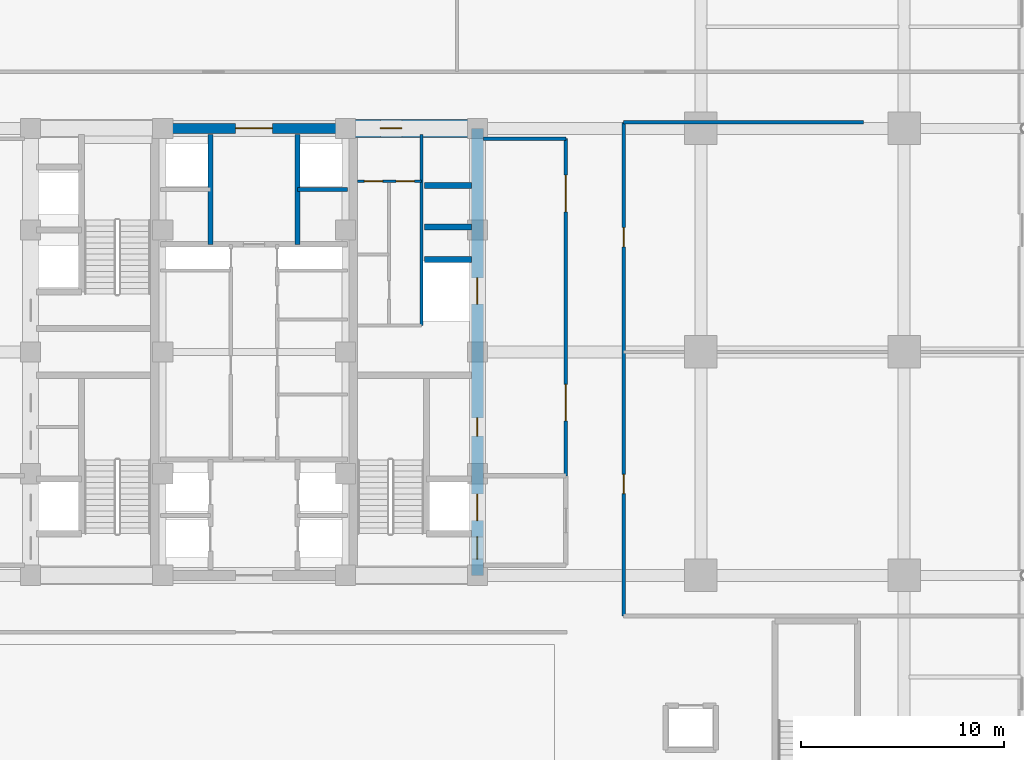
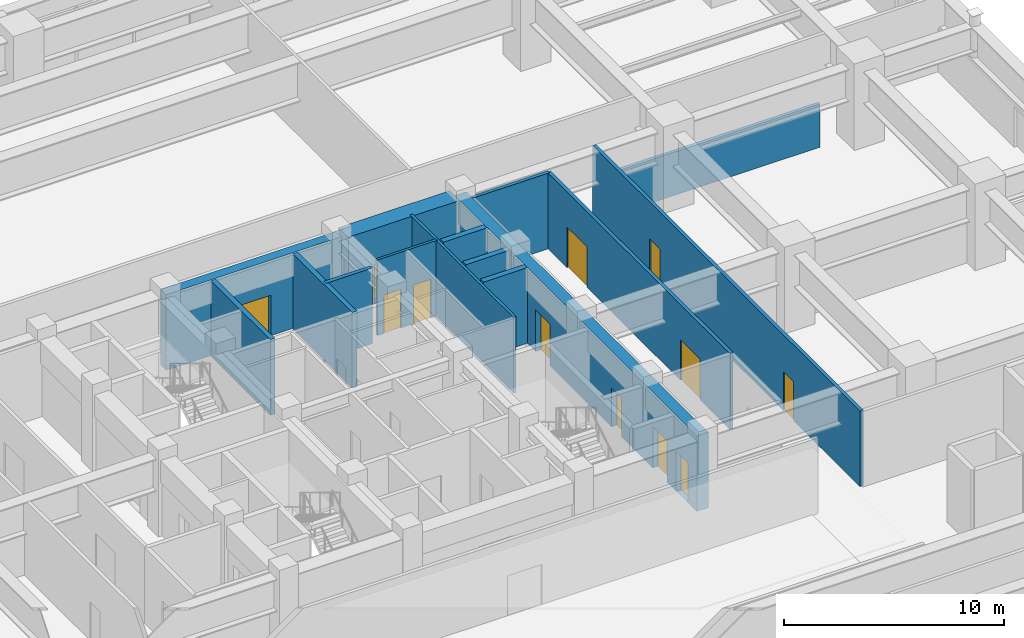
# One storey, part 25 of 35: 15 walls, 12 doors, 12 openings.
"""IFC4 building model written with IfcOpenShell, lengths in metres."""

from ifc_helpers import new_model, si_unit, direction, frame, frame_2d, origin, place, context, subcontext, project, spatial, rectangle, extrude, source, transform, mapped, material, layer, layer_set, type_object, element, fill, save


model = new_model("IFC4")

# Units and contexts
model_context = context("Model", 3, precision=1e-05, world=origin(), true_north=direction((0.0, 1.0)))
body_context = subcontext(model_context, "Body", "Model", "MODEL_VIEW")
ifc_project = project(units=[si_unit("LENGTHUNIT", "METRE"), si_unit("AREAUNIT", "SQUARE_METRE"), si_unit("VOLUMEUNIT", "CUBIC_METRE"), si_unit("PLANEANGLEUNIT", "RADIAN"), si_unit("MASSUNIT", "GRAM", prefix="KILO")], contexts=[model_context])

# Site, building, storey
site_placement = place(None, origin())
site = spatial("IfcSite", under=ifc_project, at=site_placement, CompositionType="ELEMENT")
building_placement = place(site_placement, origin())
building = spatial("IfcBuilding", under=site, at=building_placement, Name="Khorayat Bourse Tower", CompositionType="ELEMENT")
storey_placement = place(building_placement, frame((0.0, 0.0, 22.199951171875)))
storey = spatial("IfcBuildingStorey", under=building, at=storey_placement, Name="L04", CompositionType="ELEMENT", Elevation=22.199951171875)

# Wall, openings, doors
ifc_material_1 = material(Name="Concrete C60/75", Category="concrete")
ifc_layer_1 = layer(ifc_material_1, 0.60009765625)
ifc_layer_set_1 = layer_set([ifc_layer_1], Name="Concrete C60/75")
wall_type_1 = type_object("IfcWallType", Name="WAL-CORE-600", PredefinedType="SHEAR", material=ifc_layer_set_1)
shared_shape_1 = source(origin(), body_context, "Body", "SweptSolid", [
    extrude(rectangle(XDim=22.0, YDim=0.60009765625, at=frame_2d((11.0, 0.0))), origin(), (0.0, 0.0, 1.0), 4.199951171875),
])
wall_1_placement = place(storey_placement, frame((11.0, -11.0, 0.0), z_axis=(0.0, 0.0, 1.0), x_axis=(0.0, 1.0, 0.0)))
wall_1 = element("IfcWall", 1, at=wall_1_placement, inside=storey, type_object=wall_type_1, Name="L04 Core Shear Wall CORE-E", PredefinedType="SHEAR", context=body_context, shape_type="MappedRepresentation", body=[
    mapped(shared_shape_1, transform((0.0, 0.0, 0.0), scale=1.0)),
])
shared_shape_2 = source(origin(), body_context, "Body", "SweptSolid", [
    extrude(rectangle(XDim=1.10009765625, YDim=2.199951171875, at=frame_2d((0.550048828125, 1.10009765625))), frame((0.0, 0.31005859375, 0.0), z_axis=(0.0, -1.0, 0.0), x_axis=(1.0, 0.0, 0.0)), (0.0, 0.0, 1.0), 0.6201171875),
])
opening_1_placement = place(wall_1_placement, frame((0.800048828125, 0.0, 0.0)))
opening_1 = element("IfcOpeningElement", 2, at=opening_1_placement, cuts=wall_1, Name="Opening DI-01", PredefinedType="OPENING", context=body_context, shape_type="MappedRepresentation", body=[
    mapped(shared_shape_2, transform((0.0, 0.0, 0.0), scale=1.0)),
])
shared_shape_3 = source(origin(), body_context, "Body", "SweptSolid", [
    extrude(rectangle(XDim=0.89990234375, YDim=2.14990234375, at=frame_2d((0.449951171875, 1.074951171875))), frame((0.0, 0.31005859375, 0.0), z_axis=(0.0, -1.0, 0.0), x_axis=(1.0, 0.0, 0.0)), (0.0, 0.0, 1.0), 0.6201171875),
])
opening_2_placement = place(wall_1_placement, frame((6.85009765625, 0.0, 0.0)))
opening_2 = element("IfcOpeningElement", 3, at=opening_2_placement, cuts=wall_1, Name="Opening DI-06", PredefinedType="OPENING", context=body_context, shape_type="MappedRepresentation", body=[
    mapped(shared_shape_3, transform((0.0, 0.0, 0.0), scale=1.0)),
])
shared_shape_4 = source(origin(), body_context, "Body", "SweptSolid", [
    extrude(rectangle(XDim=1.300048828125, YDim=2.300048828125, at=frame_2d((0.64990234375, 1.14990234375))), frame((0.0, 0.31005859375, 0.0), z_axis=(0.0, -1.0, 0.0), x_axis=(1.0, 0.0, 0.0)), (0.0, 0.0, 1.0), 0.6201171875),
])
opening_3_placement = place(wall_1_placement, frame((2.699951171875, 0.0, 0.0)))
opening_3 = element("IfcOpeningElement", 4, at=opening_3_placement, cuts=wall_1, Name="Opening LD-02", PredefinedType="OPENING", context=body_context, shape_type="MappedRepresentation", body=[
    mapped(shared_shape_4, transform((0.0, 0.0, 0.0), scale=1.0)),
])
opening_4_placement = place(wall_1_placement, frame((13.35009765625, 0.0, 0.0)))
opening_4 = element("IfcOpeningElement", 5, at=opening_4_placement, cuts=wall_1, Name="Opening LD-02", PredefinedType="OPENING", context=body_context, shape_type="MappedRepresentation", body=[
    mapped(shared_shape_4, transform((0.0, 0.0, 0.0), scale=1.0)),
])
ifc_material_2 = material(Name="Fire-rated steel acoustic leaf", Category="steel")
door_type_1 = type_object("IfcDoorType", Name="DR-INT-STAIR-1100", OperationType="NOTDEFINED", PredefinedType="DOOR", material=ifc_material_2)
shared_shape_5 = source(origin(), body_context, "Body", "SweptSolid", [
    extrude(rectangle(XDim=1.10009765625, YDim=2.199951171875, at=frame_2d((0.550048828125, 1.10009765625))), frame((0.0, 0.02490234375, 0.0), z_axis=(0.0, -1.0, 0.0), x_axis=(1.0, 0.0, 0.0)), (0.0, 0.0, 1.0), 0.050048828125),
])
door_1_placement = place(opening_1_placement, origin())
door_1 = element("IfcDoor", 6, at=door_1_placement, inside=storey, type_object=door_type_1, Name="L04 Exit Stair 3 Door", OperationType="SINGLE_SWING_LEFT", OverallHeight=2.199951171875, OverallWidth=1.10009765625, PredefinedType="DOOR", context=body_context, shape_type="MappedRepresentation", body=[
    mapped(shared_shape_5, transform((0.0, 0.0, 0.0), scale=1.0)),
])
fill(opening_1, door_1)
ifc_material_3 = material(Name="Moisture-resistant laminate washroom door")
door_type_2 = type_object("IfcDoorType", Name="DR-INT-WC-900", OperationType="NOTDEFINED", PredefinedType="DOOR", material=ifc_material_3)
shared_shape_6 = source(origin(), body_context, "Body", "SweptSolid", [
    extrude(rectangle(XDim=0.89990234375, YDim=2.14990234375, at=frame_2d((0.449951171875, 1.074951171875))), frame((0.0, 0.02490234375, 0.0), z_axis=(0.0, -1.0, 0.0), x_axis=(1.0, 0.0, 0.0)), (0.0, 0.0, 1.0), 0.050048828125),
])
door_2_placement = place(opening_2_placement, origin())
door_2 = element("IfcDoor", 7, at=door_2_placement, inside=storey, type_object=door_type_2, Name="L04 Telecom Server Plant Room Door", OperationType="SINGLE_SWING_LEFT", OverallHeight=2.14990234375, OverallWidth=0.89990234375, PredefinedType="DOOR", context=body_context, shape_type="MappedRepresentation", body=[
    mapped(shared_shape_6, transform((0.0, 0.0, 0.0), scale=1.0)),
])
fill(opening_2, door_2)
ifc_material_4 = material(Name="Fire-rated stainless-steel sliding landing door", Category="steel")
door_type_3 = type_object("IfcDoorType", Name="DR-LIFT-FF-1300", OperationType="NOTDEFINED", PredefinedType="DOOR", material=ifc_material_4)
shared_shape_7 = source(origin(), body_context, "Body", "SweptSolid", [
    extrude(rectangle(XDim=1.300048828125, YDim=2.300048828125, at=frame_2d((0.64990234375, 1.14990234375))), frame((0.0, 0.02490234375, 0.0), z_axis=(0.0, -1.0, 0.0), x_axis=(1.0, 0.0, 0.0)), (0.0, 0.0, 1.0), 0.050048828125),
])
door_3_placement = place(opening_3_placement, origin())
door_3 = element("IfcDoor", 8, at=door_3_placement, inside=storey, type_object=door_type_3, Name="L04 Lift FFL-02 Sliding Landing Door", OperationType="SLIDING_TO_LEFT", OverallHeight=2.300048828125, OverallWidth=1.300048828125, PredefinedType="DOOR", context=body_context, shape_type="MappedRepresentation", body=[
    mapped(shared_shape_7, transform((0.0, 0.0, 0.0), scale=1.0)),
])
fill(opening_3, door_3)
door_4_placement = place(opening_4_placement, origin())
door_4 = element("IfcDoor", 9, at=door_4_placement, inside=storey, type_object=door_type_3, Name="L04 Lift SVL-01 Sliding Landing Door", OperationType="SLIDING_TO_LEFT", OverallHeight=2.300048828125, OverallWidth=1.300048828125, PredefinedType="DOOR", context=body_context, shape_type="MappedRepresentation", body=[
    mapped(shared_shape_7, transform((0.0, 0.0, 0.0), scale=1.0)),
])
fill(opening_4, door_4)

# Wall, opening, door
ifc_material_5 = material(Name="Concrete C72/90", Category="concrete")
ifc_layer_2 = layer(ifc_material_5, 0.89990234375)
ifc_layer_set_2 = layer_set([ifc_layer_2], Name="Concrete C72/90")
wall_type_2 = type_object("IfcWallType", Name="WAL-CORE-900", PredefinedType="SHEAR", material=ifc_layer_set_2)
shared_shape_8 = source(origin(), body_context, "Body", "SweptSolid", [
    extrude(rectangle(XDim=5.849853515625, YDim=0.89990234375, at=frame_2d((2.9248046875, 0.0))), origin(), (0.0, 0.0, 1.0), 4.199951171875),
])
wall_2_placement = place(storey_placement, frame((4.85009765625, 11.0, 0.0), z_axis=(0.0, 0.0, 1.0), x_axis=(1.0, 0.0, 0.0)))
wall_2 = element("IfcWall", 10, at=wall_2_placement, inside=storey, type_object=wall_type_2, Name="L04 Core Shear Wall PIER-EN", PredefinedType="SHEAR", context=body_context, shape_type="MappedRepresentation", body=[
    mapped(shared_shape_8, transform((0.0, 0.0, 0.0), scale=1.0)),
])
shared_shape_9 = source(origin(), body_context, "Body", "SweptSolid", [
    extrude(rectangle(XDim=1.050048828125, YDim=2.199951171875, at=frame_2d((0.52490234375, 1.10009765625))), frame((0.0, 0.4599609375, 0.0), z_axis=(0.0, -1.0, 0.0), x_axis=(1.0, 0.0, 0.0)), (0.0, 0.0, 1.0), 0.919921875),
])
opening_5_placement = place(wall_2_placement, frame((1.375, 0.0, 0.0)))
opening_5 = element("IfcOpeningElement", 11, at=opening_5_placement, cuts=wall_2, Name="Opening DI-04", PredefinedType="OPENING", context=body_context, shape_type="MappedRepresentation", body=[
    mapped(shared_shape_9, transform((0.0, 0.0, 0.0), scale=1.0)),
])
ifc_material_6 = material(Name="Fire-rated oak veneer suite entrance door")
door_type_4 = type_object("IfcDoorType", Name="DR-INT-SUITE-1050", OperationType="NOTDEFINED", PredefinedType="DOOR", material=ifc_material_6)
shared_shape_10 = source(origin(), body_context, "Body", "SweptSolid", [
    extrude(rectangle(XDim=1.050048828125, YDim=2.199951171875, at=frame_2d((0.52490234375, 1.10009765625))), frame((0.0, 0.02490234375, 0.0), z_axis=(0.0, -1.0, 0.0), x_axis=(1.0, 0.0, 0.0)), (0.0, 0.0, 1.0), 0.050048828125),
])
door_5_placement = place(opening_5_placement, origin())
door_5 = element("IfcDoor", 12, at=door_5_placement, inside=storey, type_object=door_type_4, Name="L04 Core Washroom Lobby Door", OperationType="SINGLE_SWING_LEFT", OverallHeight=2.199951171875, OverallWidth=1.050048828125, PredefinedType="DOOR", context=body_context, shape_type="MappedRepresentation", body=[
    mapped(shared_shape_10, transform((0.0, 0.0, 0.0), scale=1.0)),
])
fill(opening_5, door_5)

ifc_material_7 = material(Name="Concrete C52/65", Category="concrete")
ifc_layer_3 = layer(ifc_material_7, 0.5)
ifc_layer_set_3 = layer_set([ifc_layer_3], Name="Concrete C52/65")
wall_type_3 = type_object("IfcWallType", Name="WAL-CORE-500", PredefinedType="SHEAR", material=ifc_layer_set_3)
shared_shape_11 = source(origin(), body_context, "Body", "SweptSolid", [
    extrude(rectangle(XDim=9.2001953125, YDim=0.5, at=frame_2d((4.60009765625, 0.0))), origin(), (0.0, 0.0, 1.0), 4.199951171875),
])
wall_3_placement = place(storey_placement, frame((-4.60009765625, 11.0, 0.0), z_axis=(0.0, 0.0, 1.0), x_axis=(1.0, 0.0, 0.0)))
wall_3 = element("IfcWall", 13, at=wall_3_placement, inside=storey, type_object=wall_type_3, Name="L04 Core Shear Wall CORE-N", PredefinedType="SHEAR", context=body_context, shape_type="MappedRepresentation", body=[
    mapped(shared_shape_11, transform((0.0, 0.0, 0.0), scale=1.0)),
])
shared_shape_12 = source(origin(), body_context, "Body", "SweptSolid", [
    extrude(rectangle(XDim=1.800048828125, YDim=2.25, at=frame_2d((0.89990234375, 1.125))), frame((0.0, 0.260009765625, 0.0), z_axis=(0.0, -1.0, 0.0), x_axis=(1.0, 0.0, 0.0)), (0.0, 0.0, 1.0), 0.52001953125),
])
opening_6_placement = place(wall_3_placement, frame((3.699951171875, 0.0, 0.0)))
opening_6 = element("IfcOpeningElement", 14, at=opening_6_placement, cuts=wall_3, Name="Opening DI-03", PredefinedType="OPENING", context=body_context, shape_type="MappedRepresentation", body=[
    mapped(shared_shape_12, transform((0.0, 0.0, 0.0), scale=1.0)),
])
ifc_material_8 = material(Name="Fire-rated hardwood vision-panel double leaf", Category="wood")
door_type_5 = type_object("IfcDoorType", Name="DR-INT-CORR-1800", OperationType="NOTDEFINED", PredefinedType="DOOR", material=ifc_material_8)
shared_shape_13 = source(origin(), body_context, "Body", "SweptSolid", [
    extrude(rectangle(XDim=1.800048828125, YDim=2.25, at=frame_2d((0.89990234375, 1.125))), frame((0.0, 0.02490234375, 0.0), z_axis=(0.0, -1.0, 0.0), x_axis=(1.0, 0.0, 0.0)), (0.0, 0.0, 1.0), 0.050048828125),
])
door_6_placement = place(opening_6_placement, origin())
door_6 = element("IfcDoor", 15, at=door_6_placement, inside=storey, type_object=door_type_5, Name="L04 Mid-Rise Lift Lobby Door", OperationType="SINGLE_SWING_RIGHT", OverallHeight=2.25, OverallWidth=1.800048828125, PredefinedType="DOOR", context=body_context, shape_type="MappedRepresentation", body=[
    mapped(shared_shape_13, transform((0.0, 0.0, 0.0), scale=1.0)),
])
fill(opening_6, door_6)

# Walls
ifc_material_9 = material(Name="Concrete C50/60", Category="concrete")
ifc_layer_4 = layer(ifc_material_9, 0.300048828125)
ifc_layer_set_4 = layer_set([ifc_layer_4], Name="Concrete C50/60")
wall_type_4 = type_object("IfcWallType", Name="WAL-SHAFT-300", PredefinedType="SHEAR", material=ifc_layer_set_4)
shared_shape_14 = source(origin(), body_context, "Body", "SweptSolid", [
    extrude(rectangle(XDim=2.300048828125, YDim=0.300048828125, at=frame_2d((1.14990234375, 0.0))), origin(), (0.0, 0.0, 1.0), 4.199951171875),
])
for number, where, z_axis, x_axis, name in (
    (16, (8.39990234375, 4.550048828125, 0.0), (0.0, 0.0, 1.0), (1.0, 0.0, 0.0), "L04 Partition WAL-L04-EPIER-SVLN"),
    (17, (8.39990234375, 6.14990234375, 0.0), (0.0, 0.0, 1.0), (1.0, 0.0, 0.0), "L04 Partition WAL-L04-EPIER-H3S"),
    (18, (8.39990234375, 8.199951171875, 0.0), (0.0, 0.0, 1.0), (1.0, 0.0, 0.0), "L04 Partition WAL-L04-EPIER-H34"),
):
    element("IfcWall", number, at=place(storey_placement, frame(where, z_axis=z_axis, x_axis=x_axis)), inside=storey, type_object=wall_type_4, Name=name, PredefinedType="SHEAR", context=body_context, shape_type="MappedRepresentation", body=[
        mapped(shared_shape_14, transform((0.0, 0.0, 0.0), scale=1.0)),
    ])
ifc_material_10 = material(Name="Moisture-resistant masonry partition", Category="masonry")
ifc_layer_5 = layer(ifc_material_10, 0.139892578125)
ifc_layer_set_5 = layer_set([ifc_layer_5], Name="Moisture-resistant masonry partition")
wall_type_5 = type_object("IfcWallType", Name="WAL-PART-WET-140", PredefinedType="PARTITIONING", material=ifc_layer_set_5)
shared_shape_15 = source(origin(), body_context, "Body", "SweptSolid", [
    extrude(rectangle(XDim=9.39990234375, YDim=0.139892578125, at=frame_2d((4.699951171875, 0.0))), origin(), (0.0, 0.0, 1.0), 4.199951171875),
])
wall_4_placement = place(storey_placement, frame((8.25, 1.300048828125, 0.0), z_axis=(0.0, 0.0, 1.0), x_axis=(0.0, 1.0, 0.0)))
element("IfcWall", 19, at=wall_4_placement, inside=storey, type_object=wall_type_5, Name="L04 Partition WAL-L04-ECORE-E", PredefinedType="PARTITIONING", context=body_context, shape_type="MappedRepresentation", body=[
    mapped(shared_shape_15, transform((0.0, 0.0, 0.0), scale=1.0)),
])

# Wall, openings, doors
shared_shape_16 = source(origin(), body_context, "Body", "SweptSolid", [
    extrude(rectangle(XDim=3.14990234375, YDim=0.139892578125, at=frame_2d((1.574951171875, 0.0))), origin(), (0.0, 0.0, 1.0), 4.199951171875),
])
wall_5_placement = place(storey_placement, frame((5.10009765625, 8.39990234375, 0.0), z_axis=(0.0, 0.0, 1.0), x_axis=(1.0, 0.0, 0.0)))
wall_5 = element("IfcWall", 20, at=wall_5_placement, inside=storey, type_object=wall_type_5, Name="L04 Partition WAL-L04-ECW-TOP", PredefinedType="PARTITIONING", context=body_context, shape_type="MappedRepresentation", body=[
    mapped(shared_shape_16, transform((0.0, 0.0, 0.0), scale=1.0)),
])
shared_shape_17 = source(origin(), body_context, "Body", "SweptSolid", [
    extrude(rectangle(XDim=0.89990234375, YDim=2.14990234375, at=frame_2d((0.449951171875, 1.074951171875))), frame((0.0, 0.079833984375, 0.0), z_axis=(0.0, -1.0, 0.0), x_axis=(1.0, 0.0, 0.0)), (0.0, 0.0, 1.0), 0.159912109375),
])
opening_7_placement = place(wall_5_placement, frame((0.330078125, 0.0, 0.0)))
opening_7 = element("IfcOpeningElement", 21, at=opening_7_placement, cuts=wall_5, Name="Opening DI-06", PredefinedType="OPENING", context=body_context, shape_type="MappedRepresentation", body=[
    mapped(shared_shape_17, transform((0.0, 0.0, 0.0), scale=1.0)),
])
opening_8_placement = place(wall_5_placement, frame((1.89990234375, 0.0, 0.0)))
opening_8 = element("IfcOpeningElement", 22, at=opening_8_placement, cuts=wall_5, Name="Opening DI-06", PredefinedType="OPENING", context=body_context, shape_type="MappedRepresentation", body=[
    mapped(shared_shape_17, transform((0.0, 0.0, 0.0), scale=1.0)),
])
door_7_placement = place(opening_7_placement, origin())
door_7 = element("IfcDoor", 23, at=door_7_placement, inside=storey, type_object=door_type_2, Name="L04 Accessible WC Door", OperationType="SINGLE_SWING_LEFT", OverallHeight=2.14990234375, OverallWidth=0.89990234375, PredefinedType="DOOR", context=body_context, shape_type="MappedRepresentation", body=[
    mapped(shared_shape_6, transform((0.0, 0.0, 0.0), scale=1.0)),
])
fill(opening_7, door_7)
door_8_placement = place(opening_8_placement, origin())
door_8 = element("IfcDoor", 24, at=door_8_placement, inside=storey, type_object=door_type_2, Name="L04 Shared Washroom Door", OperationType="SINGLE_SWING_RIGHT", OverallHeight=2.14990234375, OverallWidth=0.89990234375, PredefinedType="DOOR", context=body_context, shape_type="MappedRepresentation", body=[
    mapped(shared_shape_6, transform((0.0, 0.0, 0.0), scale=1.0)),
])
fill(opening_8, door_8)

# Wall
ifc_material_11 = material(Name="Gypsum plasterboard acoustic stud wall")
ifc_layer_6 = layer(ifc_material_11, 0.179931640625)
ifc_layer_set_6 = layer_set([ifc_layer_6], Name="Gypsum plasterboard acoustic stud wall")
wall_type_6 = type_object("IfcWallType", Name="WAL-PART-CORR-180", PredefinedType="PARTITIONING", material=ifc_layer_set_6)
shared_shape_18 = source(origin(), body_context, "Body", "SweptSolid", [
    extrude(rectangle(XDim=4.050048828125, YDim=0.179931640625, at=frame_2d((2.02490234375, 0.0))), origin(), (0.0, 0.0, 1.0), 4.199951171875),
])
wall_6_placement = place(storey_placement, frame((11.300048828125, 10.5, 0.0), z_axis=(0.0, 0.0, 1.0), x_axis=(1.0, 0.0, 0.0)))
element("IfcWall", 25, at=wall_6_placement, inside=storey, type_object=wall_type_6, Name="L04 Partition WAL-L04-ELOB-N", PredefinedType="PARTITIONING", context=body_context, shape_type="MappedRepresentation", body=[
    mapped(shared_shape_18, transform((0.0, 0.0, 0.0), scale=1.0)),
])

# Wall, openings, doors
shared_shape_19 = source(origin(), body_context, "Body", "SweptSolid", [
    extrude(rectangle(XDim=16.60009765625, YDim=0.179931640625, at=frame_2d((8.300048828125, 0.0))), origin(), (0.0, 0.0, 1.0), 4.199951171875),
])
wall_7_placement = place(storey_placement, frame((15.35009765625, -6.10009765625, 0.0), z_axis=(0.0, 0.0, 1.0), x_axis=(0.0, 1.0, 0.0)))
wall_7 = element("IfcWall", 26, at=wall_7_placement, inside=storey, type_object=wall_type_6, Name="L04 Partition WAL-L04-ELOB-E", PredefinedType="PARTITIONING", context=body_context, shape_type="MappedRepresentation", body=[
    mapped(shared_shape_19, transform((0.0, 0.0, 0.0), scale=1.0)),
])
shared_shape_20 = source(origin(), body_context, "Body", "SweptSolid", [
    extrude(rectangle(XDim=1.800048828125, YDim=2.25, at=frame_2d((0.89990234375, 1.125))), frame((0.0, 0.099853515625, 0.0), z_axis=(0.0, -1.0, 0.0), x_axis=(1.0, 0.0, 0.0)), (0.0, 0.0, 1.0), 0.199951171875),
])
opening_9_placement = place(wall_7_placement, frame((2.699951171875, 0.0, 0.0)))
opening_9 = element("IfcOpeningElement", 27, at=opening_9_placement, cuts=wall_7, Name="Opening DI-03", PredefinedType="OPENING", context=body_context, shape_type="MappedRepresentation", body=[
    mapped(shared_shape_20, transform((0.0, 0.0, 0.0), scale=1.0)),
])
opening_10_placement = place(wall_7_placement, frame((13.0, 0.0, 0.0)))
opening_10 = element("IfcOpeningElement", 28, at=opening_10_placement, cuts=wall_7, Name="Opening DI-03", PredefinedType="OPENING", context=body_context, shape_type="MappedRepresentation", body=[
    mapped(shared_shape_20, transform((0.0, 0.0, 0.0), scale=1.0)),
])
door_9_placement = place(opening_9_placement, origin())
door_9 = element("IfcDoor", 29, at=door_9_placement, inside=storey, type_object=door_type_5, Name="L04 East Core Lobby South Door", OperationType="SINGLE_SWING_RIGHT", OverallHeight=2.25, OverallWidth=1.800048828125, PredefinedType="DOOR", context=body_context, shape_type="MappedRepresentation", body=[
    mapped(shared_shape_13, transform((0.0, 0.0, 0.0), scale=1.0)),
])
fill(opening_9, door_9)
door_10_placement = place(opening_10_placement, origin())
door_10 = element("IfcDoor", 30, at=door_10_placement, inside=storey, type_object=door_type_5, Name="L04 East Core Lobby North Door", OperationType="SINGLE_SWING_LEFT", OverallHeight=2.25, OverallWidth=1.800048828125, PredefinedType="DOOR", context=body_context, shape_type="MappedRepresentation", body=[
    mapped(shared_shape_13, transform((0.0, 0.0, 0.0), scale=1.0)),
])
fill(opening_10, door_10)

# Walls
shared_shape_21 = source(origin(), body_context, "Body", "SweptSolid", [
    extrude(rectangle(XDim=5.39990234375, YDim=0.25, at=frame_2d((2.699951171875, 0.0))), origin(), (0.0, 0.0, 1.0), 4.199951171875),
])
for number, where, z_axis, x_axis, name in (
    (31, (-2.14990234375, 5.300048828125, 0.0), (0.0, 0.0, 1.0), (0.0, 1.0, 0.0), "L04 Partition WAL-L04-B2-W"),
    (32, (2.14990234375, 5.300048828125, 0.0), (0.0, 0.0, 1.0), (0.0, 1.0, 0.0), "L04 Partition WAL-L04-B2-E"),
):
    element("IfcWall", number, at=place(storey_placement, frame(where, z_axis=z_axis, x_axis=x_axis)), inside=storey, type_object=wall_type_4, Name=name, PredefinedType="SHEAR", context=body_context, shape_type="MappedRepresentation", body=[
        mapped(shared_shape_21, transform((0.0, 0.0, 0.0), scale=1.0)),
    ])
shared_shape_22 = source(origin(), body_context, "Body", "SweptSolid", [
    extrude(rectangle(XDim=2.4501953125, YDim=0.199951171875, at=frame_2d((1.22509765625, 0.0))), origin(), (0.0, 0.0, 1.0), 4.199951171875),
])
wall_8_placement = place(storey_placement, frame((2.14990234375, 8.0, 0.0), z_axis=(0.0, 0.0, 1.0), x_axis=(1.0, 0.0, 0.0)))
element("IfcWall", 33, at=wall_8_placement, inside=storey, type_object=wall_type_4, Name="L04 Partition WAL-L04-B2-ME", PredefinedType="SHEAR", context=body_context, shape_type="MappedRepresentation", body=[
    mapped(shared_shape_22, transform((0.0, 0.0, 0.0), scale=1.0)),
])
shared_shape_23 = source(origin(), body_context, "Body", "SweptSolid", [
    extrude(rectangle(XDim=11.800048828125, YDim=0.179931640625, at=frame_2d((5.89990234375, 0.0))), origin(), (0.0, 0.0, 1.0), 2.400146484375),
])
wall_9_placement = place(storey_placement, frame((18.199951171875, 11.300048828125, 0.0), z_axis=(0.0, 0.0, 1.0), x_axis=(1.0, 0.0, 0.0)))
element("IfcWall", 34, at=wall_9_placement, inside=storey, type_object=wall_type_6, Name="L04 Partition WAL-L04-PCORRN-SE", PredefinedType="PARTITIONING", context=body_context, shape_type="MappedRepresentation", body=[
    mapped(shared_shape_23, transform((0.0, 0.0, 0.0), scale=1.0)),
])

# Wall, openings, doors
shared_shape_24 = source(origin(), body_context, "Body", "SweptSolid", [
    extrude(rectangle(XDim=24.300048828125, YDim=0.179931640625, at=frame_2d((12.14990234375, 0.0))), origin(), (0.0, 0.0, 1.0), 4.199951171875),
])
wall_10_placement = place(storey_placement, frame((18.199951171875, -13.0, 0.0), z_axis=(0.0, 0.0, 1.0), x_axis=(0.0, 1.0, 0.0)))
wall_10 = element("IfcWall", 35, at=wall_10_placement, inside=storey, type_object=wall_type_6, Name="L04 Partition WAL-L04-PCORRE-E", PredefinedType="PARTITIONING", context=body_context, shape_type="MappedRepresentation", body=[
    mapped(shared_shape_24, transform((0.0, 0.0, 0.0), scale=1.0)),
])
shared_shape_25 = source(origin(), body_context, "Body", "SweptSolid", [
    extrude(rectangle(XDim=0.949951171875, YDim=2.14990234375, at=frame_2d((0.47509765625, 1.074951171875))), frame((0.0, 0.099853515625, 0.0), z_axis=(0.0, -1.0, 0.0), x_axis=(1.0, 0.0, 0.0)), (0.0, 0.0, 1.0), 0.199951171875),
])
opening_11_placement = place(wall_10_placement, frame((6.02490234375, 0.0, 0.0)))
opening_11 = element("IfcOpeningElement", 36, at=opening_11_placement, cuts=wall_10, Name="Opening DI-05", PredefinedType="OPENING", context=body_context, shape_type="MappedRepresentation", body=[
    mapped(shared_shape_25, transform((0.0, 0.0, 0.0), scale=1.0)),
])
opening_12_placement = place(wall_10_placement, frame((18.175048828125, 0.0, 0.0)))
opening_12 = element("IfcOpeningElement", 37, at=opening_12_placement, cuts=wall_10, Name="Opening DI-05", PredefinedType="OPENING", context=body_context, shape_type="MappedRepresentation", body=[
    mapped(shared_shape_25, transform((0.0, 0.0, 0.0), scale=1.0)),
])
ifc_material_12 = material(Name="Acoustic oak veneer office door")
door_type_6 = type_object("IfcDoorType", Name="DR-INT-OFFICE-950", OperationType="NOTDEFINED", PredefinedType="DOOR", material=ifc_material_12)
shared_shape_26 = source(origin(), body_context, "Body", "SweptSolid", [
    extrude(rectangle(XDim=0.949951171875, YDim=2.14990234375, at=frame_2d((0.47509765625, 1.074951171875))), frame((0.0, 0.02490234375, 0.0), z_axis=(0.0, -1.0, 0.0), x_axis=(1.0, 0.0, 0.0)), (0.0, 0.0, 1.0), 0.050048828125),
])
door_11_placement = place(opening_11_placement, origin())
door_11 = element("IfcDoor", 38, at=door_11_placement, inside=storey, type_object=door_type_6, Name="L04 Diplomatic Briefing Suite Door", OperationType="SINGLE_SWING_LEFT", OverallHeight=2.14990234375, OverallWidth=0.949951171875, PredefinedType="DOOR", context=body_context, shape_type="MappedRepresentation", body=[
    mapped(shared_shape_26, transform((0.0, 0.0, 0.0), scale=1.0)),
])
fill(opening_11, door_11)
door_12_placement = place(opening_12_placement, origin())
door_12 = element("IfcDoor", 39, at=door_12_placement, inside=storey, type_object=door_type_6, Name="L04 Auditorium AV Store Door", OperationType="SINGLE_SWING_RIGHT", OverallHeight=2.14990234375, OverallWidth=0.949951171875, PredefinedType="DOOR", context=body_context, shape_type="MappedRepresentation", body=[
    mapped(shared_shape_26, transform((0.0, 0.0, 0.0), scale=1.0)),
])
fill(opening_12, door_12)

save(model, "model.ifc")
